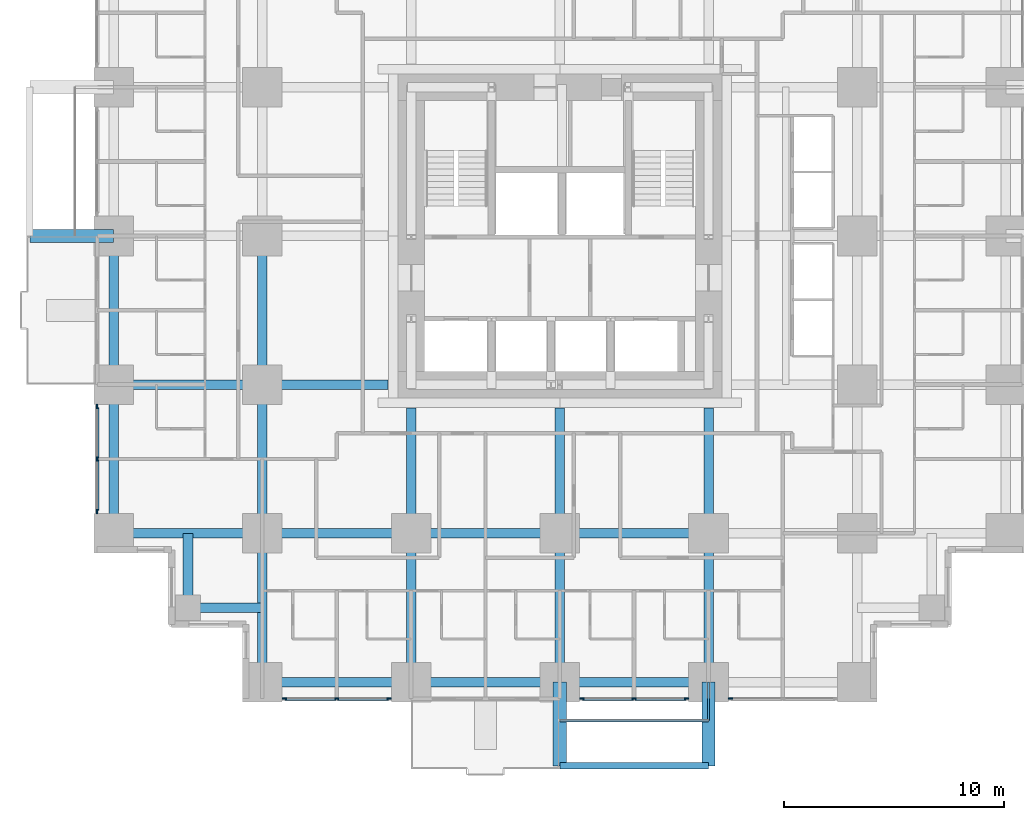
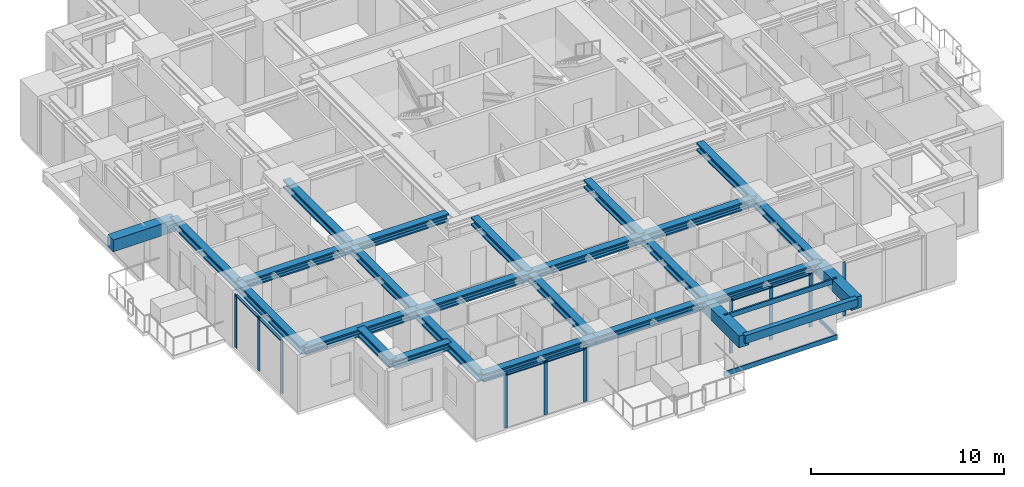
# One storey, part 2 of 15: 26 beams, 19 members, 4 elements without a shape of their own.
"""IFC4 building model written with IfcOpenShell, lengths in metres."""

from ifc_helpers import new_model, si_unit, direction, frame, origin, origin_2d, place, context, subcontext, project, spatial, rectangle, hollow_rectangle, i_section, extrude, material, material_profile, profile_set, type_object, element, aggregate, save


model = new_model("IFC4")

# Units and contexts
model_context = context("Model", 3, precision=1e-05, world=origin(), true_north=direction((0.0, 1.0)))
body_context = subcontext(model_context, "Body", "Model", "MODEL_VIEW")
ifc_project = project(units=[si_unit("LENGTHUNIT", "METRE"), si_unit("AREAUNIT", "SQUARE_METRE"), si_unit("VOLUMEUNIT", "CUBIC_METRE"), si_unit("PLANEANGLEUNIT", "RADIAN"), si_unit("MASSUNIT", "GRAM", prefix="KILO")], contexts=[model_context])

# Site, building, storey
site_placement = place(None, origin())
site = spatial("IfcSite", under=ifc_project, at=site_placement, CompositionType="ELEMENT")
building_placement = place(site_placement, origin())
building = spatial("IfcBuilding", under=site, at=building_placement, Name="Nyansa Garden Tower", CompositionType="ELEMENT")
storey_placement = place(building_placement, frame((0.0, 0.0, 61.199951171875)))
storey = spatial("IfcBuildingStorey", under=building, at=storey_placement, Name="L16", CompositionType="ELEMENT", Elevation=61.199951171875)

# Beams
ifc_material_1 = material(Name="Concrete C70/85", Category="concrete")
ifc_material_profile_1 = material_profile(ifc_material_1, rectangle(XDim=0.60009765625, YDim=0.75, at=origin_2d()), Name="RC 600x750")
ifc_profile_set_1 = profile_set([ifc_material_profile_1], Name="Concrete C70/85")
beam_type_1 = type_object("IfcBeamType", Name="Balcony cantilever beam CB1 RC 600x750", PredefinedType="BEAM", material=ifc_profile_set_1)
for number, where, z_axis, x_axis, name in (
    (1, (20.25, 0.0, 2.985107421875), (0.0, -1.0, 0.0), (1.0, 0.0, 0.0), "Balcony cantilever beam L17"),
    (2, (27.0, 0.0, 2.985107421875), (0.0, -1.0, 0.0), (1.0, 0.0, 0.0), "Balcony cantilever beam L17"),
    (3, (0.0, 20.25, 2.985107421875), (-1.0, 0.0, 0.0), (0.0, -1.0, 0.0), "Balcony cantilever beam L17"),
):
    element("IfcBeam", number, at=place(storey_placement, frame(where, z_axis=z_axis, x_axis=x_axis)), inside=storey, type_object=beam_type_1, Name=name, PredefinedType="BEAM", context=body_context, shape_type="SweptSolid", body=[
        extrude(rectangle(XDim=0.60009765625, YDim=0.75, at=origin_2d()), origin(), (0.0, 0.0, 1.0), 3.800048828125),
    ])
ifc_material_2 = material(Name="Concrete C70/85", Category="concrete")
ifc_material_profile_2 = material_profile(ifc_material_2, rectangle(XDim=0.300048828125, YDim=0.5, at=origin_2d()), Name="RC 300x500")
ifc_profile_set_2 = profile_set([ifc_material_profile_2], Name="Concrete C70/85")
beam_type_2 = type_object("IfcBeamType", Name="Balcony edge beam BE1 RC 300x500", PredefinedType="BEAM", material=ifc_profile_set_2)
beam_1_placement = place(storey_placement, frame((20.25, -3.800048828125, 3.110107421875), z_axis=(1.0, 0.0, 0.0), x_axis=(0.0, 1.0, 0.0)))
element("IfcBeam", 4, at=beam_1_placement, inside=storey, type_object=beam_type_2, Name="Balcony edge beam L17", PredefinedType="BEAM", context=body_context, shape_type="SweptSolid", body=[
    extrude(rectangle(XDim=0.300048828125, YDim=0.5, at=origin_2d()), origin(), (0.0, 0.0, 1.0), 6.75),
])

# Curtain wall, members
ifc_material_3 = material(Name="Black anodised aluminium, dark tinted double glazing", Category="aluminium")
curtain_wall_type = type_object("IfcCurtainWallType", Name="Inner skin curtain wall ISW-A", PredefinedType="USERDEFINED", material=ifc_material_3)
curtain_wall_1_placement = place(storey_placement, origin())
curtain_wall_1 = element("IfcCurtainWall", 5, at=curtain_wall_1_placement, inside=storey, type_object=curtain_wall_type, Name="Inner skin curtain wall L16 W", ObjectType="UNITISED CURTAIN WALL", PredefinedType="USERDEFINED")
ifc_material_4 = material(Name="Black anodised aluminium", Category="aluminium")
ifc_material_profile_3 = material_profile(ifc_material_4, rectangle(XDim=0.06494140625, YDim=0.199951171875, at=origin_2d()), Name="Mullion 200x65")
ifc_profile_set_3 = profile_set([ifc_material_profile_3], Name="Black anodised aluminium")
member_type_1 = type_object("IfcMemberType", Name="Mullion ISW-A 200x65", PredefinedType="MULLION", material=ifc_profile_set_3)
member_1_placement = place(storey_placement, frame((-0.75, 12.5, 0.0), z_axis=(0.0, 0.0, 1.0), x_axis=(1.0, 0.0, 0.0)))
member_1 = element("IfcMember", 6, at=member_1_placement, type_object=member_type_1, Name="ISW-A mullion 1", PredefinedType="MULLION", context=body_context, shape_type="SweptSolid", body=[
    extrude(rectangle(XDim=0.06494140625, YDim=0.199951171875, at=origin_2d()), origin(), (0.0, 0.0, 1.0), 3.375),
])
member_2_placement = place(storey_placement, frame((-0.75, 10.125, 0.0), z_axis=(0.0, 0.0, 1.0), x_axis=(1.0, 0.0, 0.0)))
member_2 = element("IfcMember", 7, at=member_2_placement, type_object=member_type_1, Name="ISW-A mullion 2", PredefinedType="MULLION", context=body_context, shape_type="SweptSolid", body=[
    extrude(rectangle(XDim=0.06494140625, YDim=0.199951171875, at=origin_2d()), origin(), (0.0, 0.0, 1.0), 3.375),
])
member_3_placement = place(storey_placement, frame((-0.75, 7.75, 0.0), z_axis=(0.0, 0.0, 1.0), x_axis=(1.0, 0.0, 0.0)))
member_3 = element("IfcMember", 8, at=member_3_placement, type_object=member_type_1, Name="ISW-A mullion 3", PredefinedType="MULLION", context=body_context, shape_type="SweptSolid", body=[
    extrude(rectangle(XDim=0.06494140625, YDim=0.199951171875, at=origin_2d()), origin(), (0.0, 0.0, 1.0), 3.375),
])

curtain_wall_2_placement = place(storey_placement, origin())
curtain_wall_2 = element("IfcCurtainWall", 9, at=curtain_wall_2_placement, inside=storey, type_object=curtain_wall_type, Name="Inner skin curtain wall L16 S", ObjectType="UNITISED CURTAIN WALL", PredefinedType="USERDEFINED")
member_4_placement = place(storey_placement, frame((7.75, -0.75, 0.0), z_axis=(0.0, 0.0, 1.0), x_axis=(0.0, 1.0, 0.0)))
member_4 = element("IfcMember", 10, at=member_4_placement, type_object=member_type_1, Name="ISW-A mullion 1", PredefinedType="MULLION", context=body_context, shape_type="SweptSolid", body=[
    extrude(rectangle(XDim=0.06494140625, YDim=0.199951171875, at=origin_2d()), origin(), (0.0, 0.0, 1.0), 3.375),
])
member_5_placement = place(storey_placement, frame((10.125, -0.75, 0.0), z_axis=(0.0, 0.0, 1.0), x_axis=(0.0, 1.0, 0.0)))
member_5 = element("IfcMember", 11, at=member_5_placement, type_object=member_type_1, Name="ISW-A mullion 2", PredefinedType="MULLION", context=body_context, shape_type="SweptSolid", body=[
    extrude(rectangle(XDim=0.06494140625, YDim=0.199951171875, at=origin_2d()), origin(), (0.0, 0.0, 1.0), 3.375),
])
member_6_placement = place(storey_placement, frame((12.5, -0.75, 0.0), z_axis=(0.0, 0.0, 1.0), x_axis=(0.0, 1.0, 0.0)))
member_6 = element("IfcMember", 12, at=member_6_placement, type_object=member_type_1, Name="ISW-A mullion 3", PredefinedType="MULLION", context=body_context, shape_type="SweptSolid", body=[
    extrude(rectangle(XDim=0.06494140625, YDim=0.199951171875, at=origin_2d()), origin(), (0.0, 0.0, 1.0), 3.375),
])

curtain_wall_3_placement = place(storey_placement, origin())
curtain_wall_3 = element("IfcCurtainWall", 13, at=curtain_wall_3_placement, inside=storey, type_object=curtain_wall_type, Name="Inner skin curtain wall L16 S", ObjectType="UNITISED CURTAIN WALL", PredefinedType="USERDEFINED")
member_7_placement = place(storey_placement, frame((21.25, -0.75, 0.0), z_axis=(0.0, 0.0, 1.0), x_axis=(0.0, 1.0, 0.0)))
member_7 = element("IfcMember", 14, at=member_7_placement, type_object=member_type_1, Name="ISW-A mullion 1", PredefinedType="MULLION", context=body_context, shape_type="SweptSolid", body=[
    extrude(rectangle(XDim=0.06494140625, YDim=0.199951171875, at=origin_2d()), origin(), (0.0, 0.0, 1.0), 3.375),
])
member_8_placement = place(storey_placement, frame((23.625, -0.75, 0.0), z_axis=(0.0, 0.0, 1.0), x_axis=(0.0, 1.0, 0.0)))
member_8 = element("IfcMember", 15, at=member_8_placement, type_object=member_type_1, Name="ISW-A mullion 2", PredefinedType="MULLION", context=body_context, shape_type="SweptSolid", body=[
    extrude(rectangle(XDim=0.06494140625, YDim=0.199951171875, at=origin_2d()), origin(), (0.0, 0.0, 1.0), 3.375),
])
member_9_placement = place(storey_placement, frame((26.0, -0.75, 0.0), z_axis=(0.0, 0.0, 1.0), x_axis=(0.0, 1.0, 0.0)))
member_9 = element("IfcMember", 16, at=member_9_placement, type_object=member_type_1, Name="ISW-A mullion 3", PredefinedType="MULLION", context=body_context, shape_type="SweptSolid", body=[
    extrude(rectangle(XDim=0.06494140625, YDim=0.199951171875, at=origin_2d()), origin(), (0.0, 0.0, 1.0), 3.375),
])

# Curtain wall, member
curtain_wall_4_placement = place(storey_placement, origin())
curtain_wall_4 = element("IfcCurtainWall", 17, at=curtain_wall_4_placement, inside=storey, type_object=curtain_wall_type, Name="Inner skin curtain wall L16 S", ObjectType="UNITISED CURTAIN WALL", PredefinedType="USERDEFINED")
member_10_placement = place(storey_placement, frame((28.0, -0.75, 0.0), z_axis=(0.0, 0.0, 1.0), x_axis=(0.0, 1.0, 0.0)))
member_10 = element("IfcMember", 18, at=member_10_placement, type_object=member_type_1, Name="ISW-A mullion 1", PredefinedType="MULLION", context=body_context, shape_type="SweptSolid", body=[
    extrude(rectangle(XDim=0.06494140625, YDim=0.199951171875, at=origin_2d()), origin(), (0.0, 0.0, 1.0), 3.375),
])
aggregate(curtain_wall_4, [member_10])

# Members
ifc_material_5 = material(Name="Steel S355, black powder coated", Category="steel")
ifc_material_profile_4 = material_profile(ifc_material_5, hollow_rectangle(XDim=0.10009765625, YDim=0.199951171875, WallThickness=0.008056640625, at=origin_2d()), Name="RHS 200x100x8")
ifc_profile_set_4 = profile_set([ifc_material_profile_4], Name="Steel S355, black powder coated")
member_type_2 = type_object("IfcMemberType", Name="Outer skin bracket arm RHS 200x100x8", PredefinedType="USERDEFINED", material=ifc_profile_set_4)
member_11_placement = place(storey_placement, frame((27.0, 0.0, -0.375), z_axis=(0.0, -1.0, 0.0), x_axis=(1.0, 0.0, 0.0)))
element("IfcMember", 19, at=member_11_placement, inside=storey, type_object=member_type_2, Name="Outer skin bracket arm", ObjectType="OUTER SKIN BRACKET", PredefinedType="USERDEFINED", context=body_context, shape_type="SweptSolid", body=[
    extrude(hollow_rectangle(XDim=0.10009765625, YDim=0.199951171875, WallThickness=0.008056640625, at=origin_2d()), origin(), (0.0, 0.0, 1.0), 1.75),
])
ifc_material_6 = material(Name="Steel S355, black powder coated", Category="steel")
ifc_material_profile_5 = material_profile(ifc_material_6, hollow_rectangle(XDim=0.10009765625, YDim=0.300048828125, WallThickness=0.010009765625, at=origin_2d()), Name="RHS 300x100x10")
ifc_profile_set_5 = profile_set([ifc_material_profile_5], Name="Steel S355, black powder coated")
member_type_3 = type_object("IfcMemberType", Name="Outer skin rail RHS 300x100x10", PredefinedType="USERDEFINED", material=ifc_profile_set_5)
for number, where, z_axis, x_axis, name in (
    (20, (20.25, -1.75, -0.375), (1.0, 0.0, 0.0), (0.0, 1.0, 0.0), "Outer skin rail L16"),
    (21, (20.25, -1.75, 3.22509765625), (1.0, 0.0, 0.0), (0.0, 1.0, 0.0), "Outer skin rail L16 head"),
):
    element("IfcMember", number, at=place(storey_placement, frame(where, z_axis=z_axis, x_axis=x_axis)), inside=storey, type_object=member_type_3, Name=name, ObjectType="OUTER SKIN RAIL", PredefinedType="USERDEFINED", context=body_context, shape_type="SweptSolid", body=[
        extrude(hollow_rectangle(XDim=0.10009765625, YDim=0.300048828125, WallThickness=0.010009765625, at=origin_2d()), origin(), (0.0, 0.0, 1.0), 6.75),
    ])

# Beams
ifc_material_7 = material(Name="Steel S355", Category="steel")
ifc_material_profile_6 = material_profile(ifc_material_7, i_section(OverallWidth=0.431884765625, OverallDepth=0.498046875, WebThickness=0.0556640625, FlangeThickness=0.0888671875, FilletRadius=0.014892578125, at=origin_2d()), Name="HD 400x744")
ifc_profile_set_6 = profile_set([ifc_material_profile_6], Name="Steel S355")
beam_type_3 = type_object("IfcBeamType", Name="Steel beam SBA1-744 HD 400x744", PredefinedType="BEAM", material=ifc_profile_set_6)
for number, where, z_axis, x_axis, name in (
    (22, (0.0, 6.75, 3.1259765625), (1.0, 0.0, 0.0), (0.0, 1.0, 0.0), "Steel beam 2/E-3/E L17"),
    (23, (0.0, 13.5, 3.1259765625), (1.0, 0.0, 0.0), (0.0, 1.0, 0.0), "Steel beam 2/F-3/F L17"),
    (24, (6.75, 0.0, 3.1259765625), (0.0, 1.0, 0.0), (-1.0, 0.0, 0.0), "Steel beam 3/D-3/E L17"),
    (25, (6.75, 6.75, 3.1259765625), (0.0, 1.0, 0.0), (-1.0, 0.0, 0.0), "Steel beam 3/E-3/F L17"),
    (26, (6.75, 6.75, 3.1259765625), (1.0, 0.0, 0.0), (0.0, 1.0, 0.0), "Steel beam 3/E-4/E L17"),
    (27, (6.75, 13.5, 3.1259765625), (0.0, 1.0, 0.0), (-1.0, 0.0, 0.0), "Steel beam 3/F-3/G L17"),
):
    element("IfcBeam", number, at=place(storey_placement, frame(where, z_axis=z_axis, x_axis=x_axis)), inside=storey, type_object=beam_type_3, Name=name, PredefinedType="BEAM", context=body_context, shape_type="SweptSolid", body=[
        extrude(i_section(OverallWidth=0.431884765625, OverallDepth=0.498046875, WebThickness=0.0556640625, FlangeThickness=0.0888671875, FilletRadius=0.014892578125, at=origin_2d()), origin(), (0.0, 0.0, 1.0), 6.75),
    ])
beam_2_placement = place(storey_placement, frame((6.75, 13.5, 3.1259765625), z_axis=(1.0, 0.0, 0.0), x_axis=(0.0, 1.0, 0.0)))
element("IfcBeam", 28, at=beam_2_placement, inside=storey, type_object=beam_type_3, Name="Steel beam 3/F-12.450/F L17", PredefinedType="BEAM", context=body_context, shape_type="SweptSolid", body=[
    extrude(i_section(OverallWidth=0.431884765625, OverallDepth=0.498046875, WebThickness=0.0556640625, FlangeThickness=0.0888671875, FilletRadius=0.014892578125, at=origin_2d()), origin(), (0.0, 0.0, 1.0), 5.699951171875),
])
beam_3_placement = place(storey_placement, frame((13.5, 0.0, 3.1259765625), z_axis=(0.0, 1.0, 0.0), x_axis=(-1.0, 0.0, 0.0)))
element("IfcBeam", 29, at=beam_3_placement, inside=storey, type_object=beam_type_3, Name="Steel beam 4/D-4/E L17", PredefinedType="BEAM", context=body_context, shape_type="SweptSolid", body=[
    extrude(i_section(OverallWidth=0.431884765625, OverallDepth=0.498046875, WebThickness=0.0556640625, FlangeThickness=0.0888671875, FilletRadius=0.014892578125, at=origin_2d()), origin(), (0.0, 0.0, 1.0), 6.75),
])
beam_4_placement = place(storey_placement, frame((13.5, 6.75, 3.1259765625), z_axis=(0.0, 1.0, 0.0), x_axis=(-1.0, 0.0, 0.0)))
element("IfcBeam", 30, at=beam_4_placement, inside=storey, type_object=beam_type_3, Name="Steel beam 4/E-4/12.450 L17", PredefinedType="BEAM", context=body_context, shape_type="SweptSolid", body=[
    extrude(i_section(OverallWidth=0.431884765625, OverallDepth=0.498046875, WebThickness=0.0556640625, FlangeThickness=0.0888671875, FilletRadius=0.014892578125, at=origin_2d()), origin(), (0.0, 0.0, 1.0), 5.699951171875),
])
for number, where, z_axis, x_axis, name in (
    (31, (13.5, 6.75, 3.1259765625), (1.0, 0.0, 0.0), (0.0, 1.0, 0.0), "Steel beam 4/E-5/E L17"),
    (32, (20.25, 0.0, 3.1259765625), (0.0, 1.0, 0.0), (-1.0, 0.0, 0.0), "Steel beam 5/D-5/E L17"),
):
    element("IfcBeam", number, at=place(storey_placement, frame(where, z_axis=z_axis, x_axis=x_axis)), inside=storey, type_object=beam_type_3, Name=name, PredefinedType="BEAM", context=body_context, shape_type="SweptSolid", body=[
        extrude(i_section(OverallWidth=0.431884765625, OverallDepth=0.498046875, WebThickness=0.0556640625, FlangeThickness=0.0888671875, FilletRadius=0.014892578125, at=origin_2d()), origin(), (0.0, 0.0, 1.0), 6.75),
    ])
beam_5_placement = place(storey_placement, frame((20.25, 6.75, 3.1259765625), z_axis=(0.0, 1.0, 0.0), x_axis=(-1.0, 0.0, 0.0)))
element("IfcBeam", 33, at=beam_5_placement, inside=storey, type_object=beam_type_3, Name="Steel beam 5/E-5/12.450 L17", PredefinedType="BEAM", context=body_context, shape_type="SweptSolid", body=[
    extrude(i_section(OverallWidth=0.431884765625, OverallDepth=0.498046875, WebThickness=0.0556640625, FlangeThickness=0.0888671875, FilletRadius=0.014892578125, at=origin_2d()), origin(), (0.0, 0.0, 1.0), 5.699951171875),
])
for number, where, z_axis, x_axis, name in (
    (34, (20.25, 6.75, 3.1259765625), (1.0, 0.0, 0.0), (0.0, 1.0, 0.0), "Steel beam 5/E-6/E L17"),
    (35, (27.0, 0.0, 3.1259765625), (0.0, 1.0, 0.0), (-1.0, 0.0, 0.0), "Steel beam 6/D-6/E L17"),
):
    element("IfcBeam", number, at=place(storey_placement, frame(where, z_axis=z_axis, x_axis=x_axis)), inside=storey, type_object=beam_type_3, Name=name, PredefinedType="BEAM", context=body_context, shape_type="SweptSolid", body=[
        extrude(i_section(OverallWidth=0.431884765625, OverallDepth=0.498046875, WebThickness=0.0556640625, FlangeThickness=0.0888671875, FilletRadius=0.014892578125, at=origin_2d()), origin(), (0.0, 0.0, 1.0), 6.75),
    ])
beam_6_placement = place(storey_placement, frame((27.0, 6.75, 3.1259765625), z_axis=(0.0, 1.0, 0.0), x_axis=(-1.0, 0.0, 0.0)))
element("IfcBeam", 36, at=beam_6_placement, inside=storey, type_object=beam_type_3, Name="Steel beam 6/E-6/12.450 L17", PredefinedType="BEAM", context=body_context, shape_type="SweptSolid", body=[
    extrude(i_section(OverallWidth=0.431884765625, OverallDepth=0.498046875, WebThickness=0.0556640625, FlangeThickness=0.0888671875, FilletRadius=0.014892578125, at=origin_2d()), origin(), (0.0, 0.0, 1.0), 5.699951171875),
])
ifc_material_8 = material(Name="Steel S355", Category="steel")
ifc_material_profile_7 = material_profile(ifc_material_8, i_section(OverallWidth=0.431884765625, OverallDepth=0.498046875, WebThickness=0.0556640625, FlangeThickness=0.0888671875, FilletRadius=0.014892578125, at=origin_2d()), Name="HD 400x744")
ifc_profile_set_7 = profile_set([ifc_material_profile_7], Name="Steel S355")
beam_type_4 = type_object("IfcBeamType", Name="Steel beam SEBA-744 HD 400x744", PredefinedType="BEAM", material=ifc_profile_set_7)
for number, where, z_axis, x_axis, name in (
    (37, (0.0, 6.75, 3.1259765625), (0.0, 1.0, 0.0), (-1.0, 0.0, 0.0), "Steel edge beam 2/E-2/F L17"),
    (38, (0.0, 13.5, 3.1259765625), (0.0, 1.0, 0.0), (-1.0, 0.0, 0.0), "Steel edge beam 2/F-2/G L17"),
    (39, (6.75, 0.0, 3.1259765625), (1.0, 0.0, 0.0), (0.0, 1.0, 0.0), "Steel edge beam 3/D-4/D L17"),
    (40, (13.5, 0.0, 3.1259765625), (1.0, 0.0, 0.0), (0.0, 1.0, 0.0), "Steel edge beam 4/D-5/D L17"),
    (41, (20.25, 0.0, 3.1259765625), (1.0, 0.0, 0.0), (0.0, 1.0, 0.0), "Steel edge beam 5/D-6/D L17"),
):
    element("IfcBeam", number, at=place(storey_placement, frame(where, z_axis=z_axis, x_axis=x_axis)), inside=storey, type_object=beam_type_4, Name=name, PredefinedType="BEAM", context=body_context, shape_type="SweptSolid", body=[
        extrude(i_section(OverallWidth=0.431884765625, OverallDepth=0.498046875, WebThickness=0.0556640625, FlangeThickness=0.0888671875, FilletRadius=0.014892578125, at=origin_2d()), origin(), (0.0, 0.0, 1.0), 6.75),
    ])
ifc_material_9 = material(Name="Steel S355", Category="steel")
ifc_material_profile_8 = material_profile(ifc_material_9, i_section(OverallWidth=0.431884765625, OverallDepth=0.498046875, WebThickness=0.0556640625, FlangeThickness=0.0888671875, FilletRadius=0.014892578125, at=origin_2d()), Name="HD 400x744")
ifc_profile_set_8 = profile_set([ifc_material_profile_8], Name="Steel S355")
beam_type_5 = type_object("IfcBeamType", Name="Steel beam SSB1-744 HD 400x744", PredefinedType="BEAM", material=ifc_profile_set_8)
for number, where, z_axis, x_axis, name in (
    (42, (3.375, 3.375, 3.1259765625), (0.0, 1.0, 0.0), (-1.0, 0.0, 0.0), "Steel step beam 3.375/3.375 L17"),
    (43, (3.375, 3.375, 3.1259765625), (1.0, 0.0, 0.0), (0.0, 1.0, 0.0), "Steel step beam 3.375/3.375 L17"),
):
    element("IfcBeam", number, at=place(storey_placement, frame(where, z_axis=z_axis, x_axis=x_axis)), inside=storey, type_object=beam_type_5, Name=name, PredefinedType="BEAM", context=body_context, shape_type="SweptSolid", body=[
        extrude(i_section(OverallWidth=0.431884765625, OverallDepth=0.498046875, WebThickness=0.0556640625, FlangeThickness=0.0888671875, FilletRadius=0.014892578125, at=origin_2d()), origin(), (0.0, 0.0, 1.0), 3.375),
    ])

# Member
ifc_material_10 = material(Name="Black anodised aluminium", Category="aluminium")
ifc_material_profile_9 = material_profile(ifc_material_10, rectangle(XDim=0.14990234375, YDim=0.06494140625, at=origin_2d()), Name="Transom 150x65")
ifc_profile_set_9 = profile_set([ifc_material_profile_9], Name="Black anodised aluminium")
member_type_4 = type_object("IfcMemberType", Name="Transom ISW-A 150x65", PredefinedType="USERDEFINED", material=ifc_profile_set_9)
member_12_placement = place(storey_placement, frame((-0.75, 12.467529296875, 3.342529296875), z_axis=(0.0, -1.0, 0.0), x_axis=(1.0, 0.0, 0.0)))
member_12 = element("IfcMember", 44, at=member_12_placement, type_object=member_type_4, Name="ISW-A transom 1", ObjectType="TRANSOM", PredefinedType="USERDEFINED", context=body_context, shape_type="SweptSolid", body=[
    extrude(rectangle(XDim=0.14990234375, YDim=0.06494140625, at=origin_2d()), origin(), (0.0, 0.0, 1.0), 2.31005859375),
])

member_13_placement = place(storey_placement, frame((-0.75, 10.092529296875, 3.342529296875), z_axis=(0.0, -1.0, 0.0), x_axis=(1.0, 0.0, 0.0)))
member_13 = element("IfcMember", 45, at=member_13_placement, type_object=member_type_4, Name="ISW-A transom 2", ObjectType="TRANSOM", PredefinedType="USERDEFINED", context=body_context, shape_type="SweptSolid", body=[
    extrude(rectangle(XDim=0.14990234375, YDim=0.06494140625, at=origin_2d()), origin(), (0.0, 0.0, 1.0), 2.31005859375),
])

aggregate(curtain_wall_1, [member_1, member_2, member_3, member_12, member_13])

member_14_placement = place(storey_placement, frame((7.782470703125, -0.75, 3.342529296875), z_axis=(1.0, 0.0, 0.0), x_axis=(0.0, 1.0, 0.0)))
member_14 = element("IfcMember", 46, at=member_14_placement, type_object=member_type_4, Name="ISW-A transom 1", ObjectType="TRANSOM", PredefinedType="USERDEFINED", context=body_context, shape_type="SweptSolid", body=[
    extrude(rectangle(XDim=0.14990234375, YDim=0.06494140625, at=origin_2d()), origin(), (0.0, 0.0, 1.0), 2.31005859375),
])

member_15_placement = place(storey_placement, frame((10.157470703125, -0.75, 3.342529296875), z_axis=(1.0, 0.0, 0.0), x_axis=(0.0, 1.0, 0.0)))
member_15 = element("IfcMember", 47, at=member_15_placement, type_object=member_type_4, Name="ISW-A transom 2", ObjectType="TRANSOM", PredefinedType="USERDEFINED", context=body_context, shape_type="SweptSolid", body=[
    extrude(rectangle(XDim=0.14990234375, YDim=0.06494140625, at=origin_2d()), origin(), (0.0, 0.0, 1.0), 2.31005859375),
])

aggregate(curtain_wall_2, [member_4, member_5, member_6, member_14, member_15])

member_16_placement = place(storey_placement, frame((21.282470703125, -0.75, 3.342529296875), z_axis=(1.0, 0.0, 0.0), x_axis=(0.0, 1.0, 0.0)))
member_16 = element("IfcMember", 48, at=member_16_placement, type_object=member_type_4, Name="ISW-A transom 1", ObjectType="TRANSOM", PredefinedType="USERDEFINED", context=body_context, shape_type="SweptSolid", body=[
    extrude(rectangle(XDim=0.14990234375, YDim=0.06494140625, at=origin_2d()), origin(), (0.0, 0.0, 1.0), 2.31005859375),
])

member_17_placement = place(storey_placement, frame((23.657470703125, -0.75, 3.342529296875), z_axis=(1.0, 0.0, 0.0), x_axis=(0.0, 1.0, 0.0)))
member_17 = element("IfcMember", 49, at=member_17_placement, type_object=member_type_4, Name="ISW-A transom 2", ObjectType="TRANSOM", PredefinedType="USERDEFINED", context=body_context, shape_type="SweptSolid", body=[
    extrude(rectangle(XDim=0.14990234375, YDim=0.06494140625, at=origin_2d()), origin(), (0.0, 0.0, 1.0), 2.31005859375),
])

aggregate(curtain_wall_3, [member_7, member_8, member_9, member_16, member_17])

save(model, "model.ifc")
